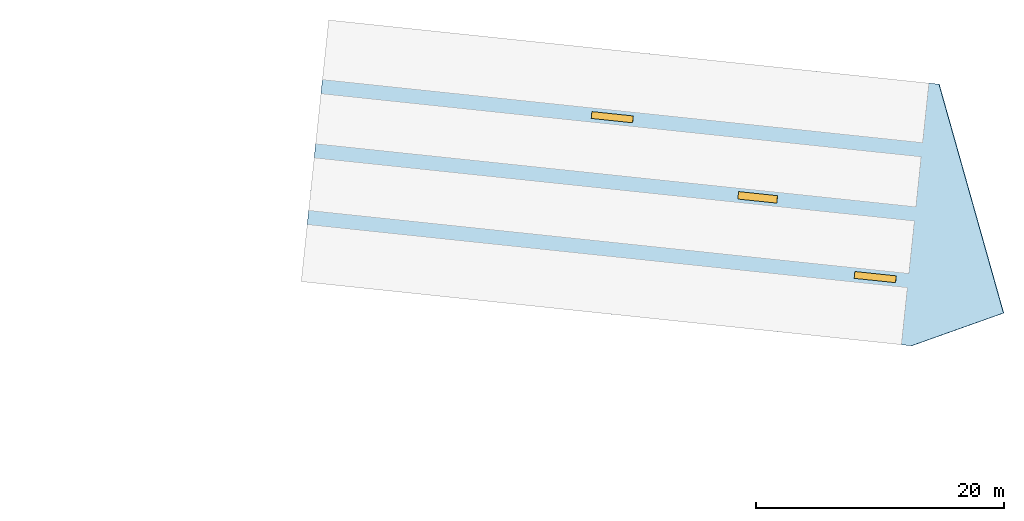
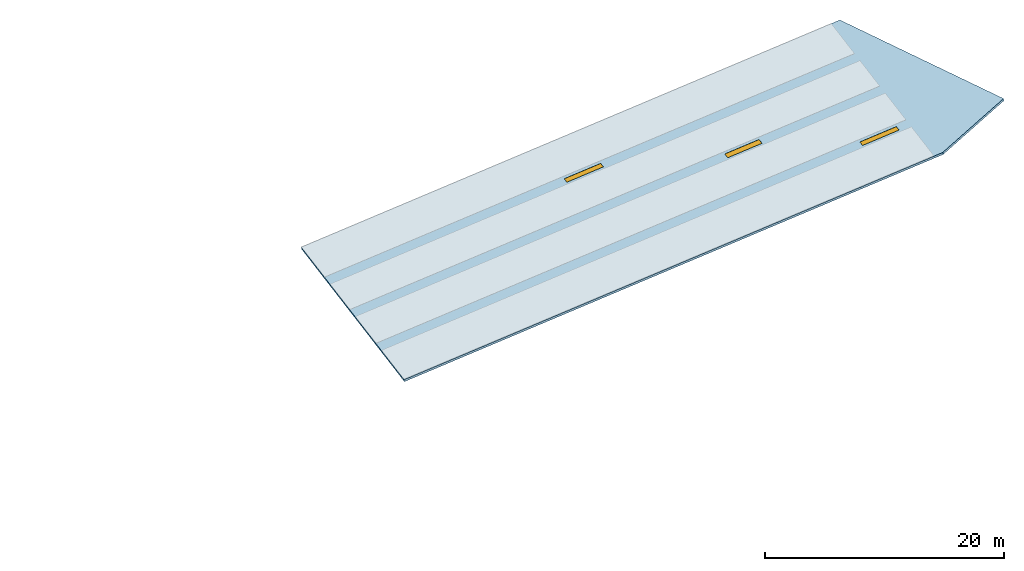
# One storey, part 5 of 16: 3 windows, 1 slab, 3 openings.
"""IFC4 building model written with IfcOpenShell, lengths in metres."""

from ifc_helpers import new_model, si_unit, direction, frame, origin, origin_2d, place, context, subcontext, project, spatial, polyline, rectangle, outline, extrude, material, layer, layer_set, type_object, element, fill, save


model = new_model("IFC4")

# Units and contexts
model_context = context("Model", 3, precision=1e-05, world=origin(), true_north=direction((0.0, 1.0)))
body_context = subcontext(model_context, "Body", "Model", "MODEL_VIEW")
ifc_project = project(units=[si_unit("LENGTHUNIT", "METRE"), si_unit("AREAUNIT", "SQUARE_METRE"), si_unit("VOLUMEUNIT", "CUBIC_METRE"), si_unit("PLANEANGLEUNIT", "RADIAN"), si_unit("MASSUNIT", "GRAM", prefix="KILO")], contexts=[model_context])

# Site, building, storey
site_placement = place(None, origin())
site = spatial("IfcSite", under=ifc_project, at=site_placement, CompositionType="ELEMENT")
building_placement = place(site_placement, origin())
building = spatial("IfcBuilding", under=site, at=building_placement, Name="Kestramere Prow Commons", CompositionType="ELEMENT")
storey_placement = place(building_placement, frame((0.0, 0.0, 40.89990234375)))
storey = spatial("IfcBuildingStorey", under=building, at=storey_placement, Name="L12", CompositionType="ELEMENT", Elevation=40.89990234375)

# Slab, openings, windows
ifc_material_1 = material(Name="Precast concrete C40/50", Category="concrete")
ifc_layer = layer(ifc_material_1, 0.219970703125)
ifc_layer_set = layer_set([ifc_layer], Name="Precast concrete C40/50")
slab_type = type_object("IfcSlabType", Name="SL-ROOF-PROW-220", PredefinedType="ROOF", material=ifc_layer_set)
slab_placement = place(storey_placement, frame((109.27001953125, 94.072265625, -4.449951171875), z_axis=(-0.181438241166, 0.019069363968, 0.983217434752), x_axis=(0.977831207141, -0.10277477483, 0.182437594807)))
slab = element("IfcSlab", 1, at=slab_placement, inside=storey, type_object=slab_type, Name="Block B Steep Standing-Seam Prow Roof Slab", PredefinedType="ROOF", context=body_context, shape_type="SweptSolid", body=[
    extrude(outline(polyline([(0.0, 0.0), (50.293917121894985, -4.224610705748713e-16), (57.515082058767355, 3.400185239353998), (50.29395235453025, 21.200125914342586), (-0.00020349568679645103, 21.200100394586883), (0.0, 0.0)])), origin(), (0.0, 0.0, -1.0), 0.219970703125),
])
opening_1_placement = place(slab_placement, frame((46.745361328125, 5.2001953125, 0.0), z_axis=(0.0, 0.0, 1.0), x_axis=(0.0, -1.0, 0.0)))
opening_1 = element("IfcOpeningElement", 2, at=opening_1_placement, cuts=slab, Name="Opening SK-01", PredefinedType="OPENING", context=body_context, shape_type="SweptSolid", body=[
    extrude(rectangle(XDim=0.550048828125, YDim=3.39990234375, at=origin_2d()), frame((0.0, 0.0, 0.014892578125), z_axis=(0.0, 0.0, -1.0), x_axis=(1.0, 0.0, 0.0)), (0.0, 0.0, 1.0), 0.25),
])
opening_2_placement = place(slab_placement, frame((36.484130859375, 10.60009765625, 0.0), z_axis=(0.0, 0.0, 1.0), x_axis=(0.0, -1.0, 0.0)))
opening_2 = element("IfcOpeningElement", 3, at=opening_2_placement, cuts=slab, Name="Opening SK-02", PredefinedType="OPENING", context=body_context, shape_type="SweptSolid", body=[
    extrude(rectangle(XDim=0.60009765625, YDim=3.199951171875, at=origin_2d()), frame((0.0, 0.0, 0.014892578125), z_axis=(0.0, 0.0, -1.0), x_axis=(1.0, 0.0, 0.0)), (0.0, 0.0, 1.0), 0.25),
])
opening_3_placement = place(slab_placement, frame((23.942626953125, 15.800048828125, 0.0), z_axis=(0.0, 0.0, 1.0), x_axis=(0.0, -1.0, 0.0)))
opening_3 = element("IfcOpeningElement", 4, at=opening_3_placement, cuts=slab, Name="Opening SK-01", PredefinedType="OPENING", context=body_context, shape_type="SweptSolid", body=[
    extrude(rectangle(XDim=0.550048828125, YDim=3.39990234375, at=origin_2d()), frame((0.0, 0.0, 0.014892578125), z_axis=(0.0, 0.0, -1.0), x_axis=(1.0, 0.0, 0.0)), (0.0, 0.0, 1.0), 0.25),
])
ifc_material_2 = material(Name="Triple-Laminated Solar-Control Skylight Glazing", Category="glass")
window_type_1 = type_object("IfcWindowType", Name="SK-PROW-2400", PartitioningType="SINGLE_PANEL", PredefinedType="SKYLIGHT", material=ifc_material_2)
window_1_placement = place(opening_1_placement, frame((0.0, 0.0, -0.010009765625)))
window_1 = element("IfcWindow", 5, at=window_1_placement, inside=storey, type_object=window_type_1, Name="Block B Prow Linear Slot Skylight 1", OverallHeight=3.39990234375, OverallWidth=0.550048828125, PartitioningType="SINGLE_PANEL", PredefinedType="SKYLIGHT", context=body_context, shape_type="SweptSolid", body=[
    extrude(rectangle(XDim=0.550048828125, YDim=3.39990234375, at=origin_2d()), frame((0.0, 0.0, 0.0), z_axis=(0.0, 0.0, -1.0), x_axis=(1.0, 0.0, 0.0)), (0.0, 0.0, 1.0), 0.06005859375),
])
fill(opening_1, window_1)
window_2_placement = place(opening_3_placement, frame((0.0, 0.0, -0.010009765625)))
window_2 = element("IfcWindow", 6, at=window_2_placement, inside=storey, type_object=window_type_1, Name="Block B Prow Linear Slot Skylight 3", OverallHeight=3.39990234375, OverallWidth=0.550048828125, PartitioningType="SINGLE_PANEL", PredefinedType="SKYLIGHT", context=body_context, shape_type="SweptSolid", body=[
    extrude(rectangle(XDim=0.550048828125, YDim=3.39990234375, at=origin_2d()), frame((0.0, 0.0, 0.0), z_axis=(0.0, 0.0, -1.0), x_axis=(1.0, 0.0, 0.0)), (0.0, 0.0, 1.0), 0.06005859375),
])
fill(opening_3, window_2)
window_type_2 = type_object("IfcWindowType", Name="SK-PROW-3000", PartitioningType="SINGLE_PANEL", PredefinedType="SKYLIGHT", material=ifc_material_2)
window_3_placement = place(opening_2_placement, frame((0.0, 0.0, -0.010009765625)))
window_3 = element("IfcWindow", 7, at=window_3_placement, inside=storey, type_object=window_type_2, Name="Block B Prow Linear Slot Skylight 2", OverallHeight=3.199951171875, OverallWidth=0.60009765625, PartitioningType="SINGLE_PANEL", PredefinedType="SKYLIGHT", context=body_context, shape_type="SweptSolid", body=[
    extrude(rectangle(XDim=0.60009765625, YDim=3.199951171875, at=origin_2d()), frame((0.0, 0.0, 0.0), z_axis=(0.0, 0.0, -1.0), x_axis=(1.0, 0.0, 0.0)), (0.0, 0.0, 1.0), 0.06005859375),
])
fill(opening_2, window_3)

save(model, "model.ifc")
